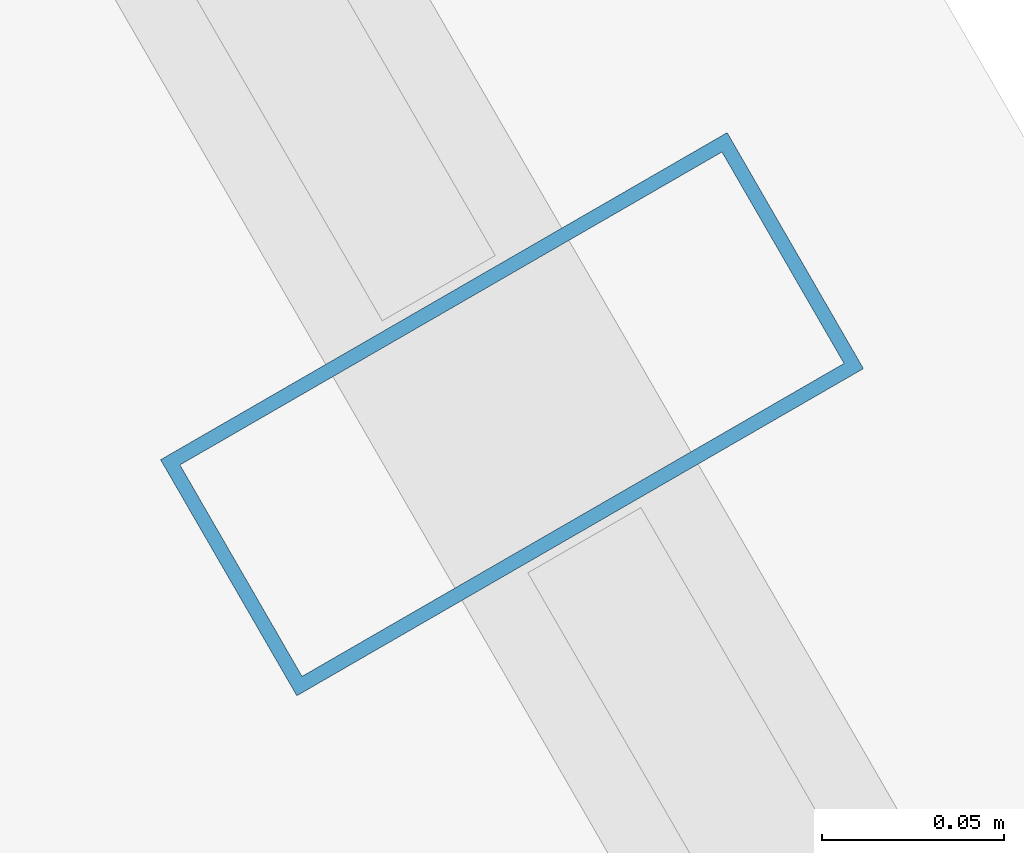
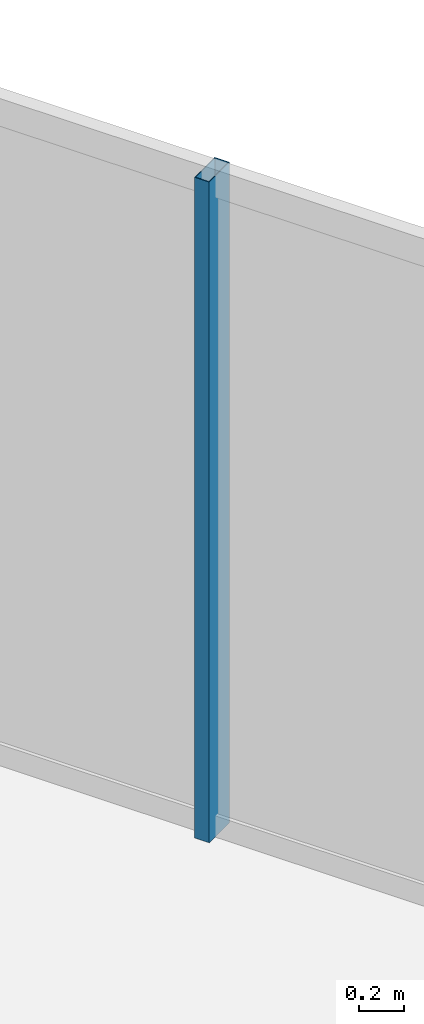
# One storey, part 20 of 32: 1 member, 1 element without a shape of its own.
"""IFC4 building model written with IfcOpenShell, lengths in metres."""

from ifc_helpers import new_model, si_unit, direction, frame, origin, origin_2d, place, context, subcontext, project, spatial, hollow_rectangle, extrude, material, layer, layer_set, material_profile, profile_set, type_object, element, aggregate, save


model = new_model("IFC4")

# Units and contexts
model_context = context("Model", 3, precision=1e-05, world=origin(), true_north=direction((0.0, 1.0)))
body_context = subcontext(model_context, "Body", "Model", "MODEL_VIEW")
ifc_project = project(units=[si_unit("LENGTHUNIT", "METRE"), si_unit("AREAUNIT", "SQUARE_METRE"), si_unit("VOLUMEUNIT", "CUBIC_METRE"), si_unit("PLANEANGLEUNIT", "RADIAN"), si_unit("MASSUNIT", "GRAM", prefix="KILO")], contexts=[model_context])

# Site, building, storey
site_placement = place(None, origin())
site = spatial("IfcSite", under=ifc_project, at=site_placement, CompositionType="ELEMENT")
building_placement = place(site_placement, origin())
building = spatial("IfcBuilding", under=site, at=building_placement, Name="Ndaravel Arena Tower", CompositionType="ELEMENT")
storey_placement = place(building_placement, frame((0.0, 0.0, 157.39990234375)))
storey = spatial("IfcBuildingStorey", under=building, at=storey_placement, Name="L37", CompositionType="ELEMENT", Elevation=157.39990234375)

# Curtain wall, member
ifc_material_1 = material(Name="Aluminium", Category="aluminium")
ifc_layer = layer(ifc_material_1, 0.179931640625)
ifc_layer_set = layer_set([ifc_layer], Name="Aluminium")
curtain_wall_type = type_object("IfcCurtainWallType", Name="CW-SYS-03", PredefinedType="NOTDEFINED", material=ifc_layer_set)
curtain_wall_placement = place(storey_placement, origin())
curtain_wall = element("IfcCurtainWall", 1, at=curtain_wall_placement, inside=storey, type_object=curtain_wall_type, Name="L37 Faceted Crystal Curtain Wall CW-L37-E03", PredefinedType="NOTDEFINED")
ifc_material_2 = material(Name="Aluminium", Category="aluminium")
ifc_material_profile = material_profile(ifc_material_2, hollow_rectangle(XDim=0.074951171875, YDim=0.179931640625, WallThickness=0.00390625, at=origin_2d()), Name="CW MULLION 75x180x4")
ifc_profile_set = profile_set([ifc_material_profile], Name="Aluminium")
member_type = type_object("IfcMemberType", Name="MEM-CW-MUL180", PredefinedType="MULLION", material=ifc_profile_set)
member_placement = place(storey_placement, frame((54.370361328125, 34.4130859375, 0.0), z_axis=(0.0, 0.0, 1.0), x_axis=(-0.5, 0.866025403784, 0.0)))
member = element("IfcMember", 2, at=member_placement, type_object=member_type, Name="CW-L37-E03 Mullion 05", PredefinedType="MULLION", context=body_context, shape_type="SweptSolid", body=[
    extrude(hollow_rectangle(XDim=0.074951171875, YDim=0.179931640625, WallThickness=0.00390625, at=origin_2d()), origin(), (0.0, 0.0, 1.0), 3.580078125),
])
aggregate(curtain_wall, [member])

save(model, "model.ifc")
